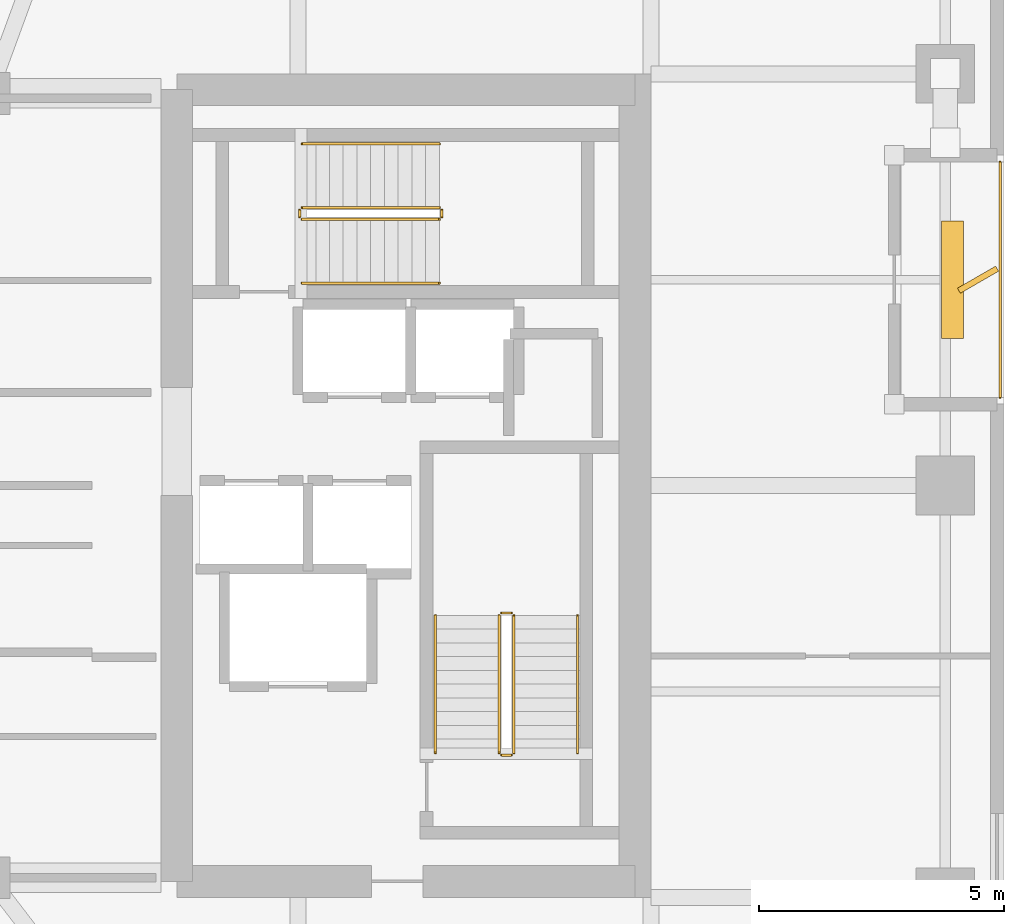
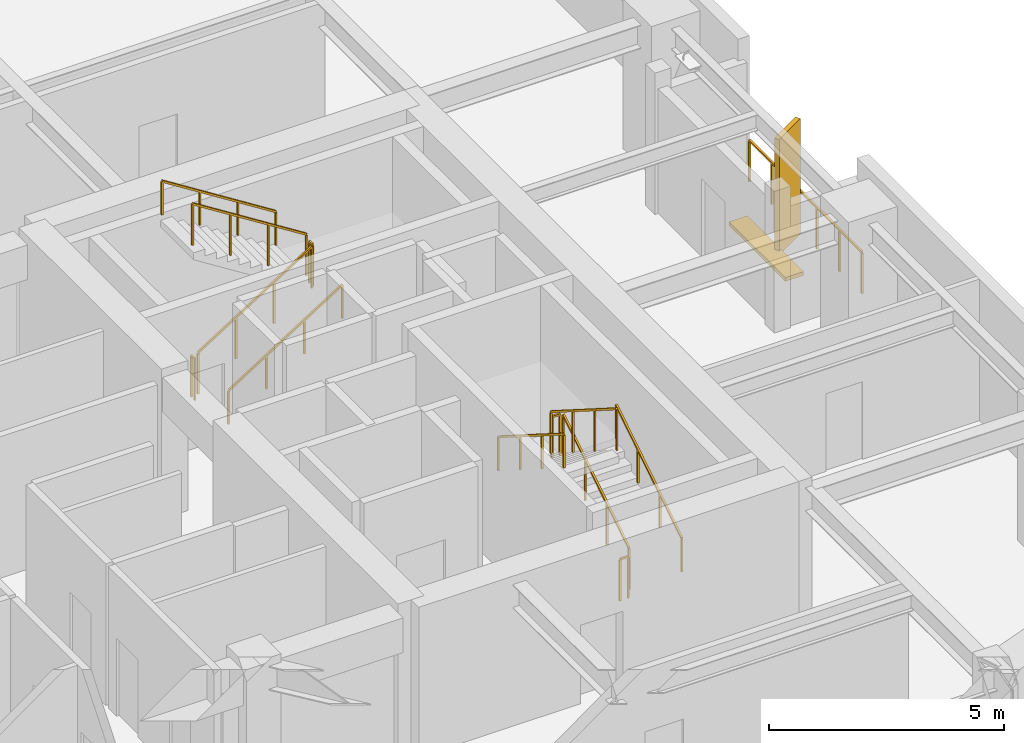
# One storey, part 20 of 21: 13 railings, 2 shading devices.
"""IFC4 building model written with IfcOpenShell, lengths in metres."""

from ifc_helpers import new_model, si_unit, direction, frame, origin, origin_2d, place, context, subcontext, project, spatial, rectangle, extrude, material, type_object, element, save


model = new_model("IFC4")

# Units and contexts
model_context = context("Model", 3, precision=1e-05, world=origin(), true_north=direction((0.0, 1.0)))
body_context = subcontext(model_context, "Body", "Model", "MODEL_VIEW")
ifc_project = project(units=[si_unit("LENGTHUNIT", "METRE"), si_unit("AREAUNIT", "SQUARE_METRE"), si_unit("VOLUMEUNIT", "CUBIC_METRE"), si_unit("PLANEANGLEUNIT", "RADIAN"), si_unit("MASSUNIT", "GRAM", prefix="KILO")], contexts=[model_context])

# Site, building, storey
site_placement = place(None, origin())
site = spatial("IfcSite", under=ifc_project, at=site_placement, CompositionType="ELEMENT")
building_placement = place(site_placement, origin())
building = spatial("IfcBuilding", under=site, at=building_placement, Name="Kiyonajd Concourse Tower", CompositionType="ELEMENT")
storey_placement = place(building_placement, frame((0.0, 0.0, 219.300048828125)))
storey = spatial("IfcBuildingStorey", under=building, at=storey_placement, Name="L55", CompositionType="ELEMENT", Elevation=219.300048828125)

# Railings
ifc_material_1 = material(Name="Thermally Broken Anodised Aluminium", Category="aluminium")
railing_type_1 = type_object("IfcRailingType", Name="RL-GRD-LOG", PredefinedType="GUARDRAIL", material=ifc_material_1)
railing_1_placement = place(storey_placement, frame((70.719970703125, 37.800048828125, 0.0)))
element("IfcRailing", 1, at=railing_1_placement, inside=storey, type_object=railing_type_1, Name="L55 Engawa Loggia Perimeter Guard LOG-E", PredefinedType="GUARDRAIL", context=body_context, shape_type="SweptSolid", body=[
    extrude(rectangle(XDim=0.048095703125, YDim=0.048095703125, at=origin_2d()), frame((0.0, 0.0, 1.076171875), z_axis=(0.0, 1.0, 0.0), x_axis=(-1.0, 0.0, 0.0)), (0.0, 0.0, 1.0), 4.800048828125),
    extrude(rectangle(XDim=0.0419921875, YDim=0.0419921875, at=origin_2d()), origin(), (0.0, 0.0, 1.0), 1.052001953125),
    extrude(rectangle(XDim=0.0419921875, YDim=0.0419921875, at=origin_2d()), frame((0.0, 0.9599609375, 0.0)), (0.0, 0.0, 1.0), 1.052001953125),
    extrude(rectangle(XDim=0.0419921875, YDim=0.0419921875, at=origin_2d()), frame((0.0, 1.919921875, 0.0)), (0.0, 0.0, 1.0), 1.052001953125),
    extrude(rectangle(XDim=0.0419921875, YDim=0.0419921875, at=origin_2d()), frame((0.0, 2.880126953125, 0.0)), (0.0, 0.0, 1.0), 1.052001953125),
    extrude(rectangle(XDim=0.0419921875, YDim=0.0419921875, at=origin_2d()), frame((0.0, 3.840087890625, 0.0)), (0.0, 0.0, 1.0), 1.052001953125),
    extrude(rectangle(XDim=0.0419921875, YDim=0.0419921875, at=origin_2d()), frame((0.0, 4.800048828125, 0.0)), (0.0, 0.0, 1.0), 1.052001953125),
])
ifc_material_2 = material(Name="Steel ASTM A500 Grade C", Category="steel")
railing_type_2 = type_object("IfcRailingType", Name="RL-GRD-STR", PredefinedType="GUARDRAIL", material=ifc_material_2)
railing_2_placement = place(storey_placement, frame((60.800048828125, 30.550048828125, 0.17724609375)))
element("IfcRailing", 2, at=railing_2_placement, inside=storey, type_object=railing_type_2, Name="L55 ST2 stair guard 1", PredefinedType="GUARDRAIL", context=body_context, shape_type="SweptSolid", body=[
    extrude(rectangle(XDim=0.048095703125, YDim=0.048095703125, at=origin_2d()), frame((0.0, 0.0, 1.076171875), z_axis=(0.0, 0.844908973607, 0.534910110503), x_axis=(-1.0, 0.0, 0.0)), (0.0, 0.0, 1.0), 3.31396484375),
    extrude(rectangle(XDim=0.0419921875, YDim=0.0419921875, at=origin_2d()), origin(), (0.0, 0.0, 1.0), 1.052001953125),
    extrude(rectangle(XDim=0.0419921875, YDim=0.0419921875, at=origin_2d()), frame((0.0, 0.933349609375, 0.5908203125)), (0.0, 0.0, 1.0), 1.052001953125),
    extrude(rectangle(XDim=0.0419921875, YDim=0.0419921875, at=origin_2d()), frame((0.0, 1.86669921875, 1.181884765625)), (0.0, 0.0, 1.0), 1.052001953125),
    extrude(rectangle(XDim=0.0419921875, YDim=0.0419921875, at=origin_2d()), frame((0.0, 2.800048828125, 1.772705078125)), (0.0, 0.0, 1.0), 1.052001953125),
])
railing_3_placement = place(storey_placement, frame((60.75, 33.39990234375, 1.949951171875)))
element("IfcRailing", 3, at=railing_3_placement, inside=storey, type_object=railing_type_2, Name="L55 ST2 stair guard 2", PredefinedType="GUARDRAIL", context=body_context, shape_type="SweptSolid", body=[
    extrude(rectangle(XDim=0.048095703125, YDim=0.048095703125, at=origin_2d()), frame((0.0, 0.0, 1.076171875), z_axis=(-1.0, 0.0, 0.0), x_axis=(0.0, -1.0, 0.0)), (0.0, 0.0, 1.0), 0.199951171875),
    extrude(rectangle(XDim=0.0419921875, YDim=0.0419921875, at=origin_2d()), origin(), (0.0, 0.0, 1.0), 1.052001953125),
    extrude(rectangle(XDim=0.0419921875, YDim=0.0419921875, at=origin_2d()), frame((-0.199951171875, 0.0, 0.0)), (0.0, 0.0, 1.0), 1.052001953125),
])
railing_4_placement = place(storey_placement, frame((60.5, 33.35009765625, 2.127197265625)))
element("IfcRailing", 4, at=railing_4_placement, inside=storey, type_object=railing_type_2, Name="L55 ST2 stair guard 3", PredefinedType="GUARDRAIL", context=body_context, shape_type="SweptSolid", body=[
    extrude(rectangle(XDim=0.048095703125, YDim=0.048095703125, at=origin_2d()), frame((0.0, 0.0, 1.076171875), z_axis=(0.0, -0.844908973607, 0.534910110503), x_axis=(1.0, 0.0, 0.0)), (0.0, 0.0, 1.0), 3.31396484375),
    extrude(rectangle(XDim=0.0419921875, YDim=0.0419921875, at=origin_2d()), origin(), (0.0, 0.0, 1.0), 1.052001953125),
    extrude(rectangle(XDim=0.0419921875, YDim=0.0419921875, at=origin_2d()), frame((0.0, -0.933349609375, 0.5908203125)), (0.0, 0.0, 1.0), 1.052001953125),
    extrude(rectangle(XDim=0.0419921875, YDim=0.0419921875, at=origin_2d()), frame((0.0, -1.86669921875, 1.181884765625)), (0.0, 0.0, 1.0), 1.052001953125),
    extrude(rectangle(XDim=0.0419921875, YDim=0.0419921875, at=origin_2d()), frame((0.0, -2.800048828125, 1.772705078125)), (0.0, 0.0, 1.0), 1.052001953125),
])
railing_5_placement = place(storey_placement, frame((60.75, 30.5, 0.0)))
element("IfcRailing", 5, at=railing_5_placement, inside=storey, type_object=railing_type_2, Name="L55 ST2 stair guard 4", PredefinedType="GUARDRAIL", context=body_context, shape_type="SweptSolid", body=[
    extrude(rectangle(XDim=0.048095703125, YDim=0.048095703125, at=origin_2d()), frame((0.0, 0.0, 1.076171875), z_axis=(-1.0, 0.0, 0.0), x_axis=(0.0, -1.0, 0.0)), (0.0, 0.0, 1.0), 0.199951171875),
    extrude(rectangle(XDim=0.0419921875, YDim=0.0419921875, at=origin_2d()), origin(), (0.0, 0.0, 1.0), 1.052001953125),
    extrude(rectangle(XDim=0.0419921875, YDim=0.0419921875, at=origin_2d()), frame((-0.199951171875, 0.0, 0.0)), (0.0, 0.0, 1.0), 1.052001953125),
])
railing_6_placement = place(storey_placement, frame((56.47998046875, 41.429931640625, 0.17724609375)))
element("IfcRailing", 6, at=railing_6_placement, inside=storey, type_object=railing_type_2, Name="L55 ST3 stair guard 1", PredefinedType="GUARDRAIL", context=body_context, shape_type="SweptSolid", body=[
    extrude(rectangle(XDim=0.048095703125, YDim=0.048095703125, at=origin_2d()), frame((0.0, 0.0, 1.076171875), z_axis=(0.844908973607, 0.0, 0.534910110503), x_axis=(0.0, 1.0, 0.0)), (0.0, 0.0, 1.0), 3.31396484375),
    extrude(rectangle(XDim=0.0419921875, YDim=0.0419921875, at=origin_2d()), origin(), (0.0, 0.0, 1.0), 1.052001953125),
    extrude(rectangle(XDim=0.0419921875, YDim=0.0419921875, at=origin_2d()), frame((0.933349609375, 0.0, 0.5908203125)), (0.0, 0.0, 1.0), 1.052001953125),
    extrude(rectangle(XDim=0.0419921875, YDim=0.0419921875, at=origin_2d()), frame((1.86669921875, 0.0, 1.181884765625)), (0.0, 0.0, 1.0), 1.052001953125),
    extrude(rectangle(XDim=0.0419921875, YDim=0.0419921875, at=origin_2d()), frame((2.800048828125, 0.0, 1.772705078125)), (0.0, 0.0, 1.0), 1.052001953125),
])
railing_7_placement = place(storey_placement, frame((59.330078125, 41.47998046875, 1.949951171875)))
element("IfcRailing", 7, at=railing_7_placement, inside=storey, type_object=railing_type_2, Name="L55 ST3 stair guard 2", PredefinedType="GUARDRAIL", context=body_context, shape_type="SweptSolid", body=[
    extrude(rectangle(XDim=0.048095703125, YDim=0.048095703125, at=origin_2d()), frame((0.0, 0.0, 1.076171875), z_axis=(0.0, 1.0, 0.0), x_axis=(-1.0, 0.0, 0.0)), (0.0, 0.0, 1.0), 0.14013671875),
    extrude(rectangle(XDim=0.0419921875, YDim=0.0419921875, at=origin_2d()), origin(), (0.0, 0.0, 1.0), 1.052001953125),
    extrude(rectangle(XDim=0.0419921875, YDim=0.0419921875, at=origin_2d()), frame((0.0, 0.14013671875, 0.0)), (0.0, 0.0, 1.0), 1.052001953125),
])
railing_8_placement = place(storey_placement, frame((59.280029296875, 41.669921875, 2.127197265625)))
element("IfcRailing", 8, at=railing_8_placement, inside=storey, type_object=railing_type_2, Name="L55 ST3 stair guard 3", PredefinedType="GUARDRAIL", context=body_context, shape_type="SweptSolid", body=[
    extrude(rectangle(XDim=0.048095703125, YDim=0.048095703125, at=origin_2d()), frame((0.0, 0.0, 1.076171875), z_axis=(-0.844908973607, 0.0, 0.534910110503), x_axis=(0.0, -1.0, 0.0)), (0.0, 0.0, 1.0), 3.31396484375),
    extrude(rectangle(XDim=0.0419921875, YDim=0.0419921875, at=origin_2d()), origin(), (0.0, 0.0, 1.0), 1.052001953125),
    extrude(rectangle(XDim=0.0419921875, YDim=0.0419921875, at=origin_2d()), frame((-0.933349609375, 0.0, 0.5908203125)), (0.0, 0.0, 1.0), 1.052001953125),
    extrude(rectangle(XDim=0.0419921875, YDim=0.0419921875, at=origin_2d()), frame((-1.86669921875, 0.0, 1.181884765625)), (0.0, 0.0, 1.0), 1.052001953125),
    extrude(rectangle(XDim=0.0419921875, YDim=0.0419921875, at=origin_2d()), frame((-2.800048828125, 0.0, 1.772705078125)), (0.0, 0.0, 1.0), 1.052001953125),
])
railing_9_placement = place(storey_placement, frame((56.429931640625, 41.47998046875, 0.0)))
element("IfcRailing", 9, at=railing_9_placement, inside=storey, type_object=railing_type_2, Name="L55 ST3 stair guard 4", PredefinedType="GUARDRAIL", context=body_context, shape_type="SweptSolid", body=[
    extrude(rectangle(XDim=0.048095703125, YDim=0.048095703125, at=origin_2d()), frame((0.0, 0.0, 1.076171875), z_axis=(0.0, 1.0, 0.0), x_axis=(-1.0, 0.0, 0.0)), (0.0, 0.0, 1.0), 0.14013671875),
    extrude(rectangle(XDim=0.0419921875, YDim=0.0419921875, at=origin_2d()), origin(), (0.0, 0.0, 1.0), 1.052001953125),
    extrude(rectangle(XDim=0.0419921875, YDim=0.0419921875, at=origin_2d()), frame((0.0, 0.14013671875, 0.0)), (0.0, 0.0, 1.0), 1.052001953125),
])
ifc_material_3 = material(Name="Brushed Stainless Steel Cab Assembly", Category="steel")
railing_type_3 = type_object("IfcRailingType", Name="RL-HND-900", PredefinedType="HANDRAIL", material=ifc_material_3)
railing_10_placement = place(storey_placement, frame((62.10009765625, 30.550048828125, 0.17724609375)))
element("IfcRailing", 10, at=railing_10_placement, inside=storey, type_object=railing_type_3, Name="L55 ST2 stair handrail 1", PredefinedType="HANDRAIL", context=body_context, shape_type="SweptSolid", body=[
    extrude(rectangle(XDim=0.048095703125, YDim=0.048095703125, at=origin_2d()), frame((0.0, 0.0, 0.8759765625), z_axis=(0.0, 0.844908973607, 0.534910110503), x_axis=(-1.0, 0.0, 0.0)), (0.0, 0.0, 1.0), 3.31396484375),
    extrude(rectangle(XDim=0.0419921875, YDim=0.0419921875, at=origin_2d()), origin(), (0.0, 0.0, 1.0), 0.851806640625),
    extrude(rectangle(XDim=0.0419921875, YDim=0.0419921875, at=origin_2d()), frame((0.0, 0.933349609375, 0.5908203125)), (0.0, 0.0, 1.0), 0.851806640625),
    extrude(rectangle(XDim=0.0419921875, YDim=0.0419921875, at=origin_2d()), frame((0.0, 1.86669921875, 1.181884765625)), (0.0, 0.0, 1.0), 0.851806640625),
    extrude(rectangle(XDim=0.0419921875, YDim=0.0419921875, at=origin_2d()), frame((0.0, 2.800048828125, 1.772705078125)), (0.0, 0.0, 1.0), 0.851806640625),
])
railing_11_placement = place(storey_placement, frame((59.199951171875, 33.35009765625, 2.127197265625)))
element("IfcRailing", 11, at=railing_11_placement, inside=storey, type_object=railing_type_3, Name="L55 ST2 stair handrail 2", PredefinedType="HANDRAIL", context=body_context, shape_type="SweptSolid", body=[
    extrude(rectangle(XDim=0.048095703125, YDim=0.048095703125, at=origin_2d()), frame((0.0, 0.0, 0.8759765625), z_axis=(0.0, -0.844908973607, 0.534910110503), x_axis=(1.0, 0.0, 0.0)), (0.0, 0.0, 1.0), 3.31396484375),
    extrude(rectangle(XDim=0.0419921875, YDim=0.0419921875, at=origin_2d()), origin(), (0.0, 0.0, 1.0), 0.851806640625),
    extrude(rectangle(XDim=0.0419921875, YDim=0.0419921875, at=origin_2d()), frame((0.0, -0.933349609375, 0.5908203125)), (0.0, 0.0, 1.0), 0.851806640625),
    extrude(rectangle(XDim=0.0419921875, YDim=0.0419921875, at=origin_2d()), frame((0.0, -1.86669921875, 1.181884765625)), (0.0, 0.0, 1.0), 0.851806640625),
    extrude(rectangle(XDim=0.0419921875, YDim=0.0419921875, at=origin_2d()), frame((0.0, -2.800048828125, 1.772705078125)), (0.0, 0.0, 1.0), 0.851806640625),
])
railing_12_placement = place(storey_placement, frame((56.47998046875, 40.1298828125, 0.17724609375)))
element("IfcRailing", 12, at=railing_12_placement, inside=storey, type_object=railing_type_3, Name="L55 ST3 stair handrail 1", PredefinedType="HANDRAIL", context=body_context, shape_type="SweptSolid", body=[
    extrude(rectangle(XDim=0.048095703125, YDim=0.048095703125, at=origin_2d()), frame((0.0, 0.0, 0.8759765625), z_axis=(0.844908973607, 0.0, 0.534910110503), x_axis=(0.0, 1.0, 0.0)), (0.0, 0.0, 1.0), 3.31396484375),
    extrude(rectangle(XDim=0.0419921875, YDim=0.0419921875, at=origin_2d()), origin(), (0.0, 0.0, 1.0), 0.851806640625),
    extrude(rectangle(XDim=0.0419921875, YDim=0.0419921875, at=origin_2d()), frame((0.933349609375, 0.0, 0.5908203125)), (0.0, 0.0, 1.0), 0.851806640625),
    extrude(rectangle(XDim=0.0419921875, YDim=0.0419921875, at=origin_2d()), frame((1.86669921875, 0.0, 1.181884765625)), (0.0, 0.0, 1.0), 0.851806640625),
    extrude(rectangle(XDim=0.0419921875, YDim=0.0419921875, at=origin_2d()), frame((2.800048828125, 0.0, 1.772705078125)), (0.0, 0.0, 1.0), 0.851806640625),
])
railing_13_placement = place(storey_placement, frame((59.280029296875, 42.969970703125, 2.127197265625)))
element("IfcRailing", 13, at=railing_13_placement, inside=storey, type_object=railing_type_3, Name="L55 ST3 stair handrail 2", PredefinedType="HANDRAIL", context=body_context, shape_type="SweptSolid", body=[
    extrude(rectangle(XDim=0.048095703125, YDim=0.048095703125, at=origin_2d()), frame((0.0, 0.0, 0.8759765625), z_axis=(-0.844908973607, 0.0, 0.534910110503), x_axis=(0.0, -1.0, 0.0)), (0.0, 0.0, 1.0), 3.31396484375),
    extrude(rectangle(XDim=0.0419921875, YDim=0.0419921875, at=origin_2d()), origin(), (0.0, 0.0, 1.0), 0.851806640625),
    extrude(rectangle(XDim=0.0419921875, YDim=0.0419921875, at=origin_2d()), frame((-0.933349609375, 0.0, 0.5908203125)), (0.0, 0.0, 1.0), 0.851806640625),
    extrude(rectangle(XDim=0.0419921875, YDim=0.0419921875, at=origin_2d()), frame((-1.86669921875, 0.0, 1.181884765625)), (0.0, 0.0, 1.0), 0.851806640625),
    extrude(rectangle(XDim=0.0419921875, YDim=0.0419921875, at=origin_2d()), frame((-2.800048828125, 0.0, 1.772705078125)), (0.0, 0.0, 1.0), 0.851806640625),
])

# Shading devices
ifc_material_4 = material(Name="Precast concrete C50/60", Category="concrete")
shading_device_type_1 = type_object("IfcShadingDeviceType", Name="SH-FIN-900", PredefinedType="USERDEFINED", material=ifc_material_4)
shading_device_1_placement = place(storey_placement, frame((70.27001953125, 40.199951171875, 0.0), z_axis=(0.0, 0.0, 1.0), x_axis=(0.866025403784, 0.5, 0.0)))
element("IfcShadingDevice", 14, at=shading_device_1_placement, inside=storey, type_object=shading_device_type_1, Name="L55 Angled Koshi Solar Fin LOG-E", ObjectType="FIN", PredefinedType="USERDEFINED", context=body_context, shape_type="SweptSolid", body=[
    extrude(rectangle(XDim=0.89990234375, YDim=0.1201171875, at=origin_2d()), origin(), (0.0, 0.0, 1.0), 3.0),
])
shading_device_type_2 = type_object("IfcShadingDeviceType", Name="SH-LVR-600", PredefinedType="JALOUSIE", material=ifc_material_1)
shading_device_2_placement = place(storey_placement, frame((69.75, 40.199951171875, 0.0), z_axis=(0.0, 0.0, 1.0), x_axis=(0.0, 1.0, 0.0)))
element("IfcShadingDevice", 15, at=shading_device_2_placement, inside=storey, type_object=shading_device_type_2, Name="L55 Loggia Threshold Louver LOG-E", PredefinedType="JALOUSIE", context=body_context, shape_type="SweptSolid", body=[
    extrude(rectangle(XDim=2.39990234375, YDim=0.449951171875, at=origin_2d()), origin(), (0.0, 0.0, 1.0), 0.10009765625),
])

save(model, "model.ifc")
